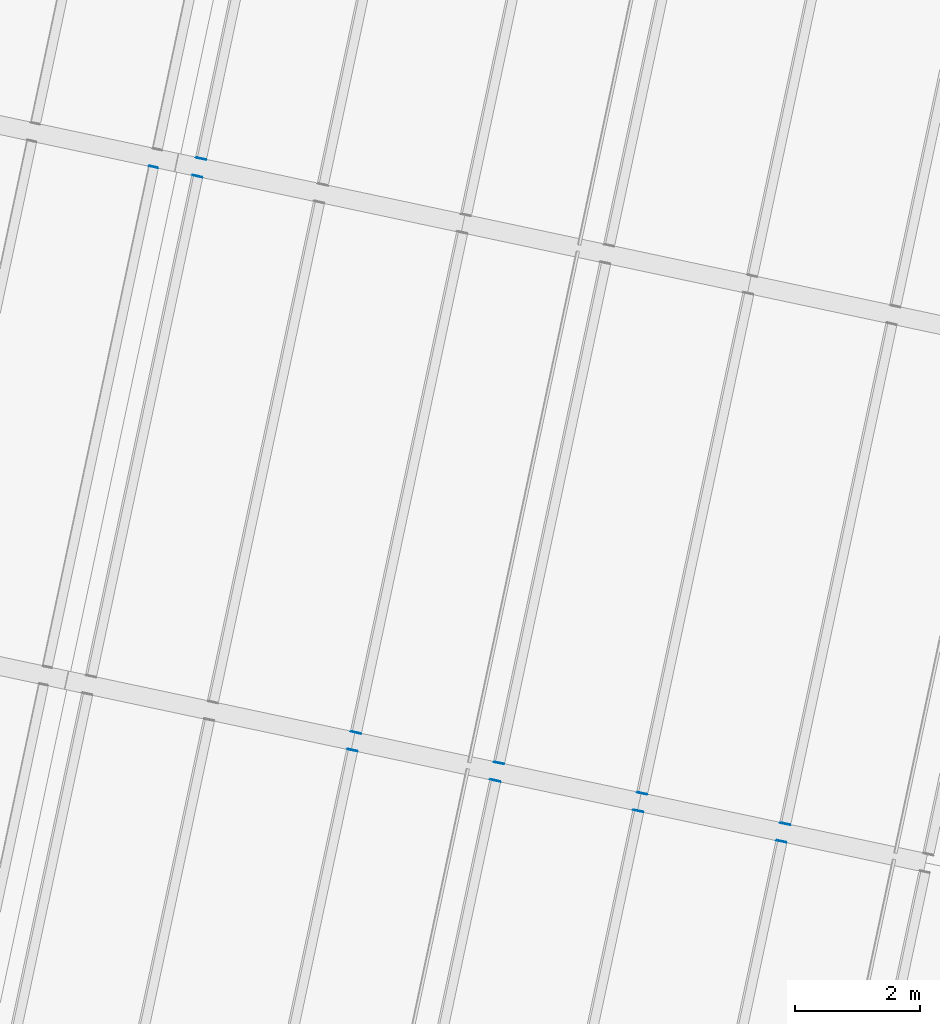
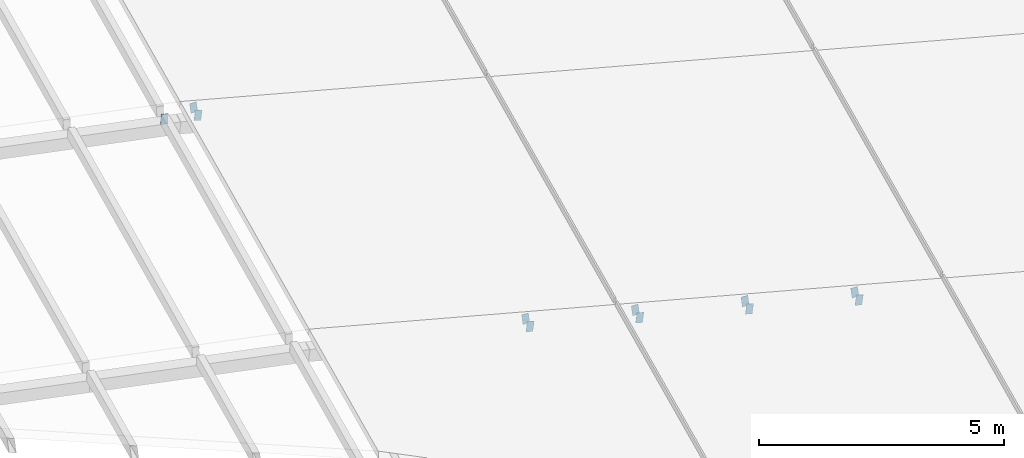
# One storey, part 162 of 196: 11 discrete accessories.
"""IFC4 building model written with IfcOpenShell, lengths in metres."""

from ifc_helpers import new_model, si_unit, direction, frame, origin, origin_2d, place, context, subcontext, project, spatial, rectangle, extrude, material, layer, layer_set, type_object, element, save


model = new_model("IFC4")

# Units and contexts
model_context = context("Model", 3, precision=1e-05, world=origin(), true_north=direction((0.0, 1.0)))
body_context = subcontext(model_context, "Body", "Model", "MODEL_VIEW")
ifc_project = project(units=[si_unit("LENGTHUNIT", "METRE"), si_unit("AREAUNIT", "SQUARE_METRE"), si_unit("VOLUMEUNIT", "CUBIC_METRE"), si_unit("PLANEANGLEUNIT", "RADIAN"), si_unit("MASSUNIT", "GRAM", prefix="KILO")], contexts=[model_context])

# Site, building, storey
site_placement = place(None, origin())
site = spatial("IfcSite", under=ifc_project, at=site_placement, CompositionType="ELEMENT")
building_placement = place(site_placement, origin())
building = spatial("IfcBuilding", under=site, at=building_placement, Name="Okhra Congress Centre", CompositionType="ELEMENT")
storey_placement = place(building_placement, frame((0.0, 0.0, 12.0)))
storey = spatial("IfcBuildingStorey", under=building, at=storey_placement, Name="L02", CompositionType="ELEMENT", Elevation=12.0)

# Discrete accessories
ifc_material = material(Name="Steel S355J2", Category="steel")
ifc_layer = layer(ifc_material, 0.011962890625)
ifc_layer_set = layer_set([ifc_layer], Name="Hollow section end cap 12 mm S355")
discrete_accessory_type = type_object("IfcDiscreteAccessoryType", Name="Hollow section end cap 12 mm S355", PredefinedType="BRACKET", material=ifc_layer_set)
discrete_accessory_1_placement = place(storey_placement, frame((246.628662109375, 111.668701171875, 1.654296875), z_axis=(0.203954254112, 0.978980419738, 0.0), x_axis=(-0.971683248143, 0.20243401003, 0.121869343405)))
element("IfcDiscreteAccessory", 1, at=discrete_accessory_1_placement, inside=storey, type_object=discrete_accessory_type, Name="Hollow section end cap", PredefinedType="BRACKET", context=body_context, shape_type="SweptSolid", body=[
    extrude(rectangle(XDim=0.14990234375, YDim=0.25, at=origin_2d()), origin(), (0.0, 0.0, 1.0), 0.011962890625),
])
discrete_accessory_2_placement = place(storey_placement, frame((248.92724609375, 111.179931640625, 1.36572265625), z_axis=(0.219038342307, 0.975716252094, 0.0), x_axis=(-0.968443411109, 0.217405663718, 0.121869343405)))
element("IfcDiscreteAccessory", 2, at=discrete_accessory_2_placement, inside=storey, type_object=discrete_accessory_type, Name="Hollow section end cap", PredefinedType="BRACKET", context=body_context, shape_type="SweptSolid", body=[
    extrude(rectangle(XDim=0.14990234375, YDim=0.25, at=origin_2d()), origin(), (0.0, 0.0, 1.0), 0.01220703125),
])
for number, where, z_axis, x_axis, name in (
    (3, (251.22607421875, 110.69140625, 1.0771484375), (0.203954254112, 0.978980419738, 0.0), (-0.971683248143, 0.20243401003, 0.121869343405), "Hollow section end cap"),
    (4, (253.524658203125, 110.202880859375, 0.78857421875), (0.203954254112, 0.978980419738, 0.0), (-0.971683248143, 0.20243401003, 0.121869343405), "Hollow section end cap"),
    (5, (243.4375, 121.036865234375, 2.251220703125), (0.223376156329, 0.974732318528, 0.0), (-0.973396481762, 0.22307002707, 0.052335956243), "Hollow section end cap"),
    (6, (244.140869140625, 120.88720703125, 2.188232421875), (0.223376156329, 0.974732318528, 0.0), (-0.967466811636, 0.221711144333, 0.121869343405), "Hollow section end cap"),
    (7, (246.691162109375, 111.962158203125, 1.654296875), (-0.223376156329, -0.974732318528, 0.0), (0.967466811636, -0.221711144333, 0.121869343405), "Hollow section end cap"),
    (8, (248.98974609375, 111.473388671875, 1.36572265625), (-0.203954254112, -0.978980419738, 0.0), (0.971683248143, -0.20243401003, 0.121869343405), "Hollow section end cap"),
    (9, (251.288330078125, 110.98486328125, 1.0771484375), (-0.203954254112, -0.978980419738, 0.0), (0.971683248143, -0.20243401003, 0.121869343405), "Hollow section end cap"),
    (10, (253.5869140625, 110.496337890625, 0.78857421875), (-0.203954254112, -0.978980419738, 0.0), (0.971683248143, -0.20243401003, 0.121869343405), "Hollow section end cap"),
    (11, (244.203369140625, 121.1806640625, 2.188232421875), (-0.203954254112, -0.978980419738, 0.0), (0.971683248143, -0.20243401003, 0.121869343405), "Hollow section end cap"),
):
    element("IfcDiscreteAccessory", number, at=place(storey_placement, frame(where, z_axis=z_axis, x_axis=x_axis)), inside=storey, type_object=discrete_accessory_type, Name=name, PredefinedType="BRACKET", context=body_context, shape_type="SweptSolid", body=[
        extrude(rectangle(XDim=0.14990234375, YDim=0.25, at=origin_2d()), origin(), (0.0, 0.0, 1.0), 0.011962890625),
    ])

save(model, "model.ifc")
